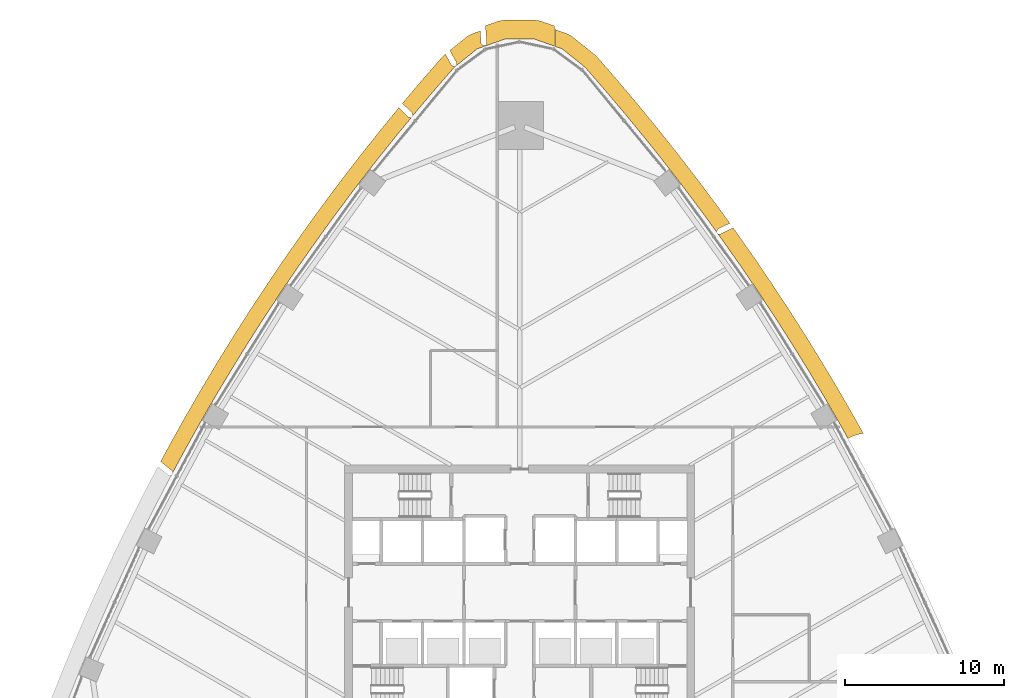
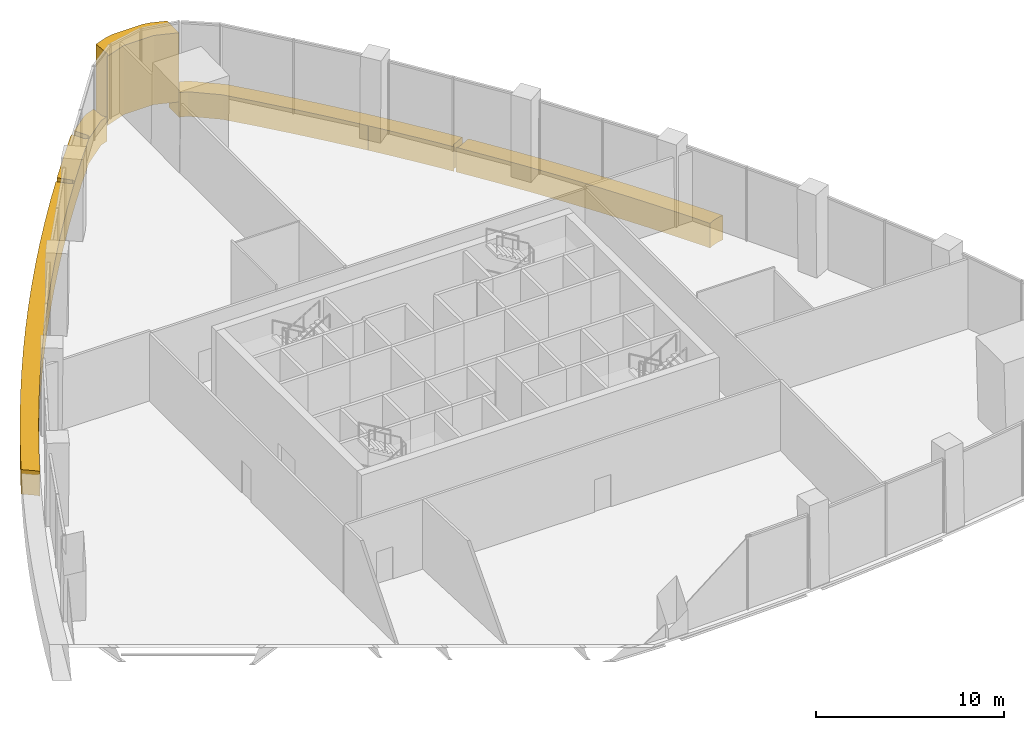
# One storey, part 15 of 16: 4 coverings.
"""IFC4 building model written with IfcOpenShell, lengths in metres."""

from ifc_helpers import new_model, si_unit, direction, frame, origin, place, context, subcontext, project, spatial, polyline, outline, extrude, material, layer, layer_set, type_object, element, save


model = new_model("IFC4")

# Units and contexts
model_context = context("Model", 3, precision=1e-05, world=origin(), true_north=direction((0.0, 1.0)))
body_context = subcontext(model_context, "Body", "Model", "MODEL_VIEW")
ifc_project = project(units=[si_unit("LENGTHUNIT", "METRE"), si_unit("AREAUNIT", "SQUARE_METRE"), si_unit("VOLUMEUNIT", "CUBIC_METRE"), si_unit("PLANEANGLEUNIT", "RADIAN"), si_unit("MASSUNIT", "GRAM", prefix="KILO")], contexts=[model_context])

# Site, building, storey
site_placement = place(None, origin())
site = spatial("IfcSite", under=ifc_project, at=site_placement, CompositionType="ELEMENT")
building_placement = place(site_placement, origin())
building = spatial("IfcBuilding", under=site, at=building_placement, Name="Sierra Prisma Convention Tower", CompositionType="ELEMENT")
storey_placement = place(building_placement, frame((0.0, 0.0, 107.199951171875)))
storey = spatial("IfcBuildingStorey", under=building, at=storey_placement, Name="L23", CompositionType="ELEMENT", Elevation=107.199951171875)

# Coverings
ifc_material_1 = material(Name="Aluminium composite bronze anodised", Category="aluminium")
ifc_layer_1 = layer(ifc_material_1, 1.199951171875)
ifc_layer_set_1 = layer_set([ifc_layer_1], Name="Bronze corner pier")
covering_type_1 = type_object("IfcCoveringType", Name="Bronze corner pier", PredefinedType="CLADDING", material=ifc_layer_set_1)
covering_1_placement = place(storey_placement, frame((0.0, 0.0, -0.599853515625)))
element("IfcCovering", 1, at=covering_1_placement, inside=storey, type_object=covering_type_1, Name="Corner pier N L23.1", PredefinedType="CLADDING", context=body_context, shape_type="SweptSolid", body=[
    extrude(outline(polyline([(-2.199951171875, 34.326171875), (-2.199951171875, 34.373291015625), (-2.14013671875, 34.39453125), (-2.135498046875, 34.396484375), (-2.131103515625, 34.398681640625), (-2.126953125, 34.401611328125), (-2.123291015625, 34.404541015625), (-2.11962890625, 34.408203125), (-2.11669921875, 34.411865234375), (-2.11376953125, 34.416015625), (-2.111572265625, 34.42041015625), (-2.109619140625, 34.425048828125), (-2.072021484375, 34.53125), (-2.070556640625, 34.5361328125), (-2.069580078125, 34.541259765625), (-2.069091796875, 34.54638671875), (-2.0693359375, 34.5517578125), (-2.151611328125, 35.615478515625), (-1.32373046875, 35.9072265625), (-0.925048828125, 35.9755859375), (0.925048828125, 35.9755859375), (1.32373046875, 35.9072265625), (2.199951171875, 35.598388671875), (2.199951171875, 34.326171875), (0.925048828125, 34.775634765625), (-0.925048828125, 34.775634765625), (-2.199951171875, 34.326171875)])), origin(), (0.0, 0.0, 1.0), 4.5),
])
ifc_material_2 = material(Name="Aluminium composite bronze anodised", Category="aluminium")
ifc_layer_2 = layer(ifc_material_2, 1.0)
ifc_layer_set_2 = layer_set([ifc_layer_2], Name="Bronze spandrel band")
covering_type_2 = type_object("IfcCoveringType", Name="Bronze spandrel band", PredefinedType="CLADDING", material=ifc_layer_set_2)
covering_2_placement = place(storey_placement, frame((0.0, 0.0, -1.599853515625)))
element("IfcCovering", 2, at=covering_2_placement, inside=storey, type_object=covering_type_2, Name="Spandrel band L23.3", PredefinedType="CLADDING", context=body_context, shape_type="SweptSolid", body=[
    extrude(outline(polyline([(15.30859375, 18.4169921875), (14.976318359375, 18.912841796875), (14.974609375, 18.91552734375), (14.97265625, 18.918212890625), (14.640625, 19.4140625), (14.6376953125, 19.41796875), (14.634521484375, 19.42138671875), (14.630859375, 19.4248046875), (14.626708984375, 19.427734375), (14.625244140625, 19.4287109375), (13.861572265625, 20.550537109375), (12.724365234375, 22.168701171875), (12.453369140625, 22.542724609375), (12.45703125, 22.539794921875), (12.46142578125, 22.536865234375), (12.466064453125, 22.534423828125), (12.470703125, 22.53271484375), (12.475830078125, 22.53125), (12.48095703125, 22.5302734375), (12.486083984375, 22.530029296875), (12.6083984375, 22.528564453125), (12.61328125, 22.52880859375), (12.617919921875, 22.529296875), (12.622314453125, 22.5302734375), (12.626708984375, 22.53173828125), (12.631103515625, 22.533447265625), (13.417724609375, 22.916259765625), (13.533935546875, 22.755859375), (13.54248046875, 22.743896484375), (14.6796875, 21.12548828125), (14.688232421875, 21.11328125), (15.80126953125, 19.478271484375), (15.8095703125, 19.466064453125), (16.898193359375, 17.814697265625), (16.90625, 17.80224609375), (17.970458984375, 16.135009765625), (17.978271484375, 16.122314453125), (19.017578125, 14.439697265625), (19.025146484375, 14.427001953125), (20.039306640625, 12.728759765625), (20.046875, 12.716064453125), (21.035888671875, 11.003173828125), (21.043212890625, 10.990234375), (21.602783203125, 9.98681640625), (21.38916015625, 9.955078125), (21.149658203125, 9.89501953125), (20.91748046875, 9.81201171875), (20.6943359375, 9.70654296875), (20.632568359375, 9.673583984375), (20.169921875, 10.503173828125), (19.98486328125, 10.82373046875), (19.98388671875, 10.828125), (19.982666015625, 10.8330078125), (19.98095703125, 10.83740234375), (19.978515625, 10.841796875), (19.378662109375, 11.881103515625), (19.3759765625, 11.885009765625), (19.372802734375, 11.888916015625), (19.369384765625, 11.892578125), (19.365966796875, 11.8955078125), (19.180908203125, 12.216064453125), (18.166748046875, 13.9140625), (17.12744140625, 15.596923828125), (16.063232421875, 17.26416015625), (15.31640625, 18.397216796875), (15.31591796875, 18.3994140625), (15.314697265625, 18.404052734375), (15.31298828125, 18.408447265625), (15.31103515625, 18.412841796875), (15.30859375, 18.4169921875)])), origin(), (0.0, 0.0, 1.0), 1.599853515625),
])
covering_3_placement = place(storey_placement, frame((0.0, 0.0, -1.599853515625)))
element("IfcCovering", 3, at=covering_3_placement, inside=storey, type_object=covering_type_2, Name="Spandrel band L23.4", PredefinedType="CLADDING", context=body_context, shape_type="SweptSolid", body=[
    extrude(outline(polyline([(-13.533935546875, 22.755859375), (-12.373046875, 24.357177734375), (-12.3642578125, 24.369140625), (-11.1796875, 25.952880859375), (-11.170654296875, 25.96484375), (-9.962646484375, 27.531005859375), (-9.95361328125, 27.54248046875), (-8.722412109375, 29.0908203125), (-8.713134765625, 29.102294921875), (-7.59765625, 30.463134765625), (-7.015380859375, 29.894287109375), (-7.011474609375, 29.890869140625), (-7.00732421875, 29.887939453125), (-7.0029296875, 29.885498046875), (-6.998291015625, 29.88330078125), (-6.99365234375, 29.8818359375), (-6.98876953125, 29.880615234375), (-6.84033203125, 29.855224609375), (-6.83544921875, 29.854736328125), (-6.830810546875, 29.8544921875), (-6.825927734375, 29.85498046875), (-6.8212890625, 29.855712890625), (-6.816650390625, 29.85693359375), (-6.81201171875, 29.858642578125), (-6.807861328125, 29.86083984375), (-6.8037109375, 29.86328125), (-6.7998046875, 29.8662109375), (-6.79638671875, 29.869384765625), (-6.793212890625, 29.872802734375), (-6.729736328125, 29.9501953125), (-6.726806640625, 29.9541015625), (-6.724365234375, 29.958251953125), (-6.722412109375, 29.962646484375), (-6.720703125, 29.96728515625), (-6.719482421875, 29.971923828125), (-6.71875, 29.976806640625), (-6.718505859375, 29.981689453125), (-6.71875, 29.986572265625), (-6.71923828125, 29.9912109375), (-6.720458984375, 29.99609375), (-6.757568359375, 30.122802734375), (-6.75927734375, 30.127685546875), (-6.761474609375, 30.13232421875), (-6.76416015625, 30.13671875), (-6.76708984375, 30.140869140625), (-6.770751953125, 30.14453125), (-7.37353515625, 30.7333984375), (-6.17333984375, 32.154296875), (-6.163818359375, 32.16552734375), (-4.864990234375, 33.6572265625), (-4.73779296875, 33.77978515625), (-4.666015625, 33.837646484375), (-4.28564453125, 33.146728515625), (-4.283203125, 33.142822265625), (-4.280517578125, 33.13916015625), (-4.27734375, 33.1357421875), (-4.27392578125, 33.132568359375), (-4.270263671875, 33.1298828125), (-4.266357421875, 33.127197265625), (-4.26220703125, 33.125244140625), (-4.116455078125, 33.060791015625), (-4.11181640625, 33.058837890625), (-4.10693359375, 33.0576171875), (-4.10205078125, 33.056884765625), (-4.09716796875, 33.056396484375), (-4.092041015625, 33.056640625), (-4.087158203125, 33.05712890625), (-4.082275390625, 33.058349609375), (-4.07763671875, 33.06005859375), (-4.072998046875, 33.06201171875), (-4.06884765625, 33.064453125), (-4.064697265625, 33.0673828125), (-3.98681640625, 33.130126953125), (-3.98291015625, 33.133544921875), (-3.9794921875, 33.137451171875), (-3.9765625, 33.1416015625), (-3.973876953125, 33.14599609375), (-3.9716796875, 33.15087890625), (-3.97021484375, 33.15576171875), (-3.968994140625, 33.16064453125), (-3.96826171875, 33.166015625), (-3.96826171875, 33.1708984375), (-3.972900390625, 33.29345703125), (-3.973388671875, 33.298095703125), (-3.97412109375, 33.302734375), (-3.975341796875, 33.30712890625), (-3.97705078125, 33.3115234375), (-3.97900390625, 33.315673828125), (-4.38916015625, 34.060302734375), (-3.296630859375, 34.939697265625), (-3.002197265625, 35.103759765625), (-2.477294921875, 35.288818359375), (-2.418212890625, 34.52490234375), (-2.41748046875, 34.519775390625), (-2.41650390625, 34.514892578125), (-2.414794921875, 34.51025390625), (-2.412841796875, 34.505615234375), (-2.410400390625, 34.50146484375), (-2.407470703125, 34.497314453125), (-2.404296875, 34.49365234375), (-2.286865234375, 34.37353515625), (-2.283447265625, 34.370361328125), (-2.279541015625, 34.367431640625), (-2.275634765625, 34.364990234375), (-2.271484375, 34.36279296875), (-2.26708984375, 34.361083984375), (-2.262451171875, 34.35986328125), (-2.2578125, 34.35888671875), (-2.2529296875, 34.3583984375), (-2.248291015625, 34.3583984375), (-2.24365234375, 34.35888671875), (-2.239013671875, 34.35986328125), (-2.234375, 34.361328125), (-2.2099609375, 34.369873046875), (-2.2099609375, 34.32275390625), (-2.669677734375, 34.16064453125), (-4.11083984375, 33.000732421875), (-5.409423828125, 31.5087890625), (-6.685791015625, 29.998046875), (-7.939697265625, 28.46826171875), (-9.1708984375, 26.920166015625), (-9.396728515625, 26.627197265625), (-9.400634765625, 26.624755859375), (-9.404541015625, 26.62158203125), (-9.408203125, 26.6181640625), (-9.411376953125, 26.614501953125), (-10.14404296875, 25.664306640625), (-10.14697265625, 25.660400390625), (-10.149169921875, 25.65625), (-10.151123046875, 25.65185546875), (-10.152587890625, 25.647216796875), (-10.152587890625, 25.647216796875), (-10.378662109375, 25.35400390625), (-11.5634765625, 23.77001953125), (-12.724365234375, 22.168701171875), (-13.861572265625, 20.550537109375), (-14.625244140625, 19.4287109375), (-14.626708984375, 19.427734375), (-14.630859375, 19.4248046875), (-14.634521484375, 19.42138671875), (-14.6376953125, 19.41796875), (-14.640625, 19.4140625), (-14.97265625, 18.918212890625), (-14.974609375, 18.91552734375), (-14.976318359375, 18.912841796875), (-15.30859375, 18.4169921875), (-15.31103515625, 18.412841796875), (-15.31298828125, 18.408447265625), (-15.314697265625, 18.404052734375), (-15.31591796875, 18.3994140625), (-15.31640625, 18.397216796875), (-16.063232421875, 17.26416015625), (-17.12744140625, 15.596923828125), (-18.166748046875, 13.9140625), (-19.180908203125, 12.216064453125), (-19.365966796875, 11.8955078125), (-19.369384765625, 11.892578125), (-19.372802734375, 11.888916015625), (-19.3759765625, 11.885009765625), (-19.378662109375, 11.881103515625), (-19.978515625, 10.841796875), (-19.98095703125, 10.83740234375), (-19.982666015625, 10.8330078125), (-19.98388671875, 10.828125), (-19.98486328125, 10.82373046875), (-20.169921875, 10.503173828125), (-21.13330078125, 8.77587890625), (-21.807861328125, 7.523193359375), (-21.8076171875, 7.523681640625), (-21.8076171875, 7.52880859375), (-21.80810546875, 7.5341796875), (-21.808837890625, 7.539306640625), (-21.810302734375, 7.544189453125), (-21.812255859375, 7.548828125), (-21.8642578125, 7.659912109375), (-21.8662109375, 7.6640625), (-21.868896484375, 7.66796875), (-21.87158203125, 7.671630859375), (-21.875, 7.6748046875), (-21.87841796875, 7.677978515625), (-22.5673828125, 8.221923828125), (-22.013916015625, 9.25), (-22.006591796875, 9.262939453125), (-21.043212890625, 10.990234375), (-21.035888671875, 11.003173828125), (-20.046875, 12.716064453125), (-20.039306640625, 12.728759765625), (-19.025146484375, 14.427001953125), (-19.017578125, 14.439697265625), (-17.978271484375, 16.122314453125), (-17.970458984375, 16.135009765625), (-16.90625, 17.80224609375), (-16.898193359375, 17.814697265625), (-15.8095703125, 19.466064453125), (-15.80126953125, 19.478271484375), (-14.688232421875, 21.11328125), (-14.6796875, 21.12548828125), (-13.54248046875, 22.743896484375), (-13.533935546875, 22.755859375)])), origin(), (0.0, 0.0, 1.0), 1.599853515625),
])
covering_4_placement = place(storey_placement, frame((0.0, 0.0, -1.599853515625)))
element("IfcCovering", 4, at=covering_4_placement, inside=storey, type_object=covering_type_2, Name="Spandrel band L23.5", PredefinedType="CLADDING", context=body_context, shape_type="SweptSolid", body=[
    extrude(outline(polyline([(11.170654296875, 25.96484375), (11.1796875, 25.952880859375), (12.3642578125, 24.369140625), (12.373046875, 24.357177734375), (13.208984375, 23.203857421875), (12.477783203125, 22.848388671875), (12.473876953125, 22.84619140625), (12.469970703125, 22.843505859375), (12.46630859375, 22.840576171875), (12.463134765625, 22.83740234375), (12.460205078125, 22.833740234375), (12.45751953125, 22.829833984375), (12.455078125, 22.82568359375), (12.38330078125, 22.68359375), (12.38134765625, 22.678955078125), (12.379638671875, 22.67431640625), (12.378662109375, 22.66943359375), (12.378173828125, 22.664306640625), (12.3779296875, 22.659423828125), (12.37841796875, 22.654541015625), (12.37939453125, 22.649658203125), (12.380615234375, 22.644775390625), (12.38232421875, 22.640625), (11.5634765625, 23.77001953125), (10.378662109375, 25.35400390625), (10.152587890625, 25.647216796875), (10.152587890625, 25.647216796875), (10.151123046875, 25.65185546875), (10.149169921875, 25.65625), (10.14697265625, 25.660400390625), (10.14404296875, 25.664306640625), (9.411376953125, 26.614501953125), (9.408203125, 26.6181640625), (9.404541015625, 26.62158203125), (9.400634765625, 26.624755859375), (9.396728515625, 26.627197265625), (9.1708984375, 26.920166015625), (7.939697265625, 28.46826171875), (6.685791015625, 29.998046875), (5.409423828125, 31.5087890625), (4.11083984375, 33.000732421875), (2.669677734375, 34.16064453125), (2.2099609375, 34.32275390625), (2.2099609375, 35.383056640625), (3.002197265625, 35.103759765625), (3.296630859375, 34.939697265625), (4.73779296875, 33.77978515625), (4.864990234375, 33.6572265625), (6.163818359375, 32.16552734375), (6.17333984375, 32.154296875), (7.44970703125, 30.643310546875), (7.459228515625, 30.6318359375), (8.713134765625, 29.102294921875), (8.722412109375, 29.0908203125), (9.95361328125, 27.54248046875), (9.962646484375, 27.531005859375), (11.170654296875, 25.96484375)])), origin(), (0.0, 0.0, 1.0), 1.599853515625),
])

save(model, "model.ifc")
